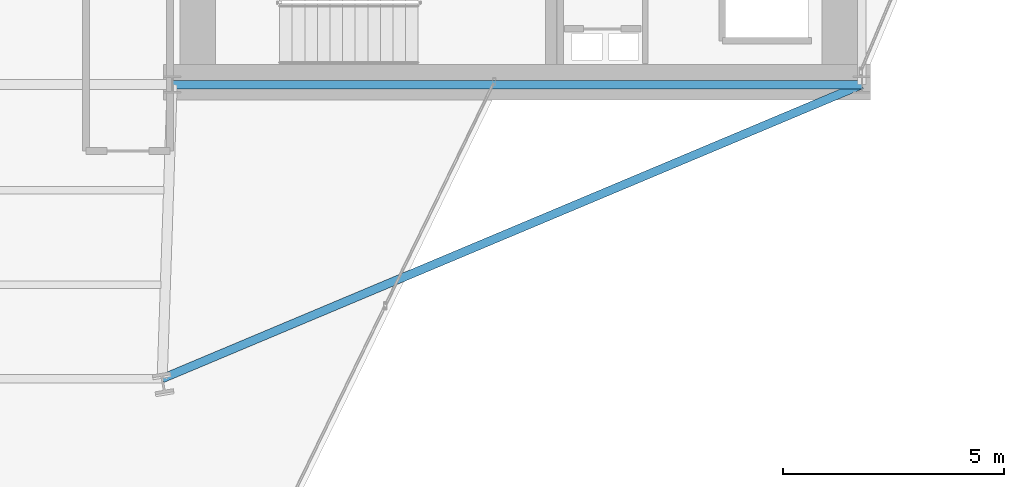
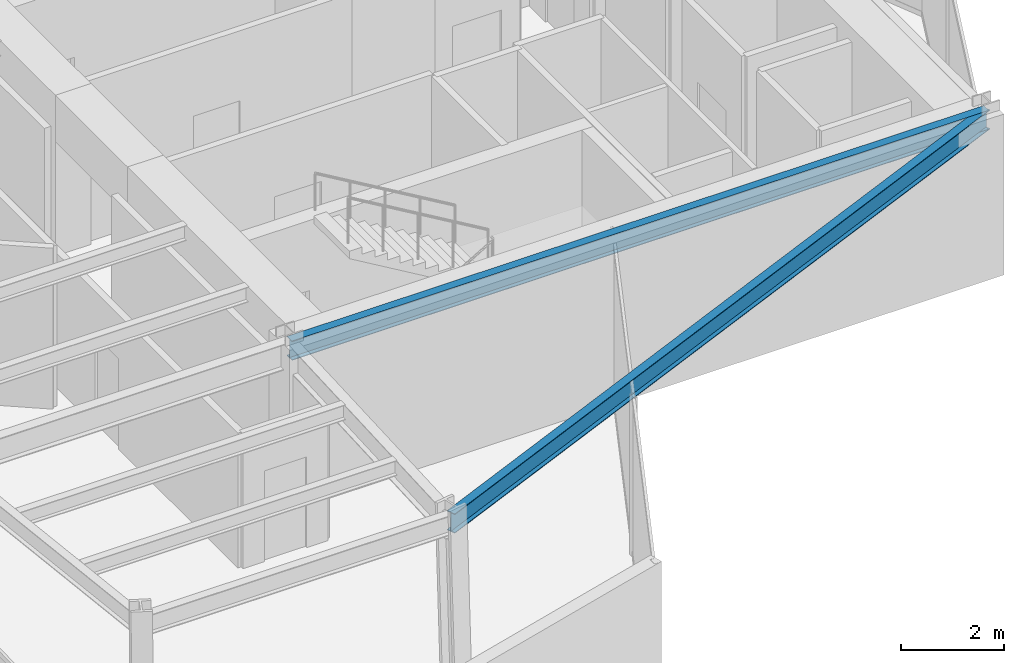
# One storey, part 12 of 24: 2 beams.
"""IFC4 building model written with IfcOpenShell, lengths in metres."""

from ifc_helpers import new_model, si_unit, direction, frame, origin, origin_2d, place, context, subcontext, project, spatial, i_section, extrude, material, material_profile, profile_set, type_object, element, save


model = new_model("IFC4")

# Units and contexts
model_context = context("Model", 3, precision=1e-05, world=origin(), true_north=direction((0.0, 1.0)))
body_context = subcontext(model_context, "Body", "Model", "MODEL_VIEW")
ifc_project = project(units=[si_unit("LENGTHUNIT", "METRE"), si_unit("AREAUNIT", "SQUARE_METRE"), si_unit("VOLUMEUNIT", "CUBIC_METRE"), si_unit("PLANEANGLEUNIT", "RADIAN"), si_unit("MASSUNIT", "GRAM", prefix="KILO")], contexts=[model_context])

# Site, building, storey
site_placement = place(None, origin())
site = spatial("IfcSite", under=ifc_project, at=site_placement, CompositionType="ELEMENT")
building_placement = place(site_placement, origin())
building = spatial("IfcBuilding", under=site, at=building_placement, Name="Veymaron Broadcast Tower", CompositionType="ELEMENT")
storey_placement = place(building_placement, frame((0.0, 0.0, 124.949951171875)))
storey = spatial("IfcBuildingStorey", under=building, at=storey_placement, Name="L28", CompositionType="ELEMENT", Elevation=124.949951171875)

# Beams
ifc_material = material(Name="Structural steel ASTM A992 Gr 50", Category="steel")
ifc_material_profile = material_profile(ifc_material, i_section(OverallWidth=0.19091796875, OverallDepth=0.4599609375, WebThickness=0.010009765625, FlangeThickness=0.01611328125, at=origin_2d()), Name="W460X82")
ifc_profile_set = profile_set([ifc_material_profile], Name="Structural steel ASTM A992 Gr 50")
beam_type = type_object("IfcBeamType", Name="BM-SP1", PredefinedType="SPANDREL", material=ifc_profile_set)
beam_1_placement = place(storey_placement, frame((39.0, 16.0, 3.580078125), z_axis=(1.0, 0.0, 0.0), x_axis=(0.0, 1.0, 0.0)))
element("IfcBeam", 1, at=beam_1_placement, inside=storey, type_object=beam_type, Name="L28 primary structural floor girder", PredefinedType="SPANDREL", context=body_context, shape_type="SweptSolid", body=[
    extrude(i_section(OverallWidth=0.19091796875, OverallDepth=0.4599609375, WebThickness=0.010009765625, FlangeThickness=0.01611328125, at=origin_2d()), origin(), (0.0, 0.0, 1.0), 15.60009765625),
])
beam_2_placement = place(storey_placement, frame((54.60009765625, 16.0, 3.580078125), z_axis=(-0.921913032928, -0.38739690205, 0.0), x_axis=(0.38739690205, -0.921913032928, 0.0)))
element("IfcBeam", 2, at=beam_2_placement, inside=storey, type_object=beam_type, Name="L28 primary structural floor girder", PredefinedType="SPANDREL", context=body_context, shape_type="SweptSolid", body=[
    extrude(i_section(OverallWidth=0.19091796875, OverallDepth=0.4599609375, WebThickness=0.010009765625, FlangeThickness=0.01611328125, at=origin_2d()), origin(), (0.0, 0.0, 1.0), 17.16552734375),
])

save(model, "model.ifc")
